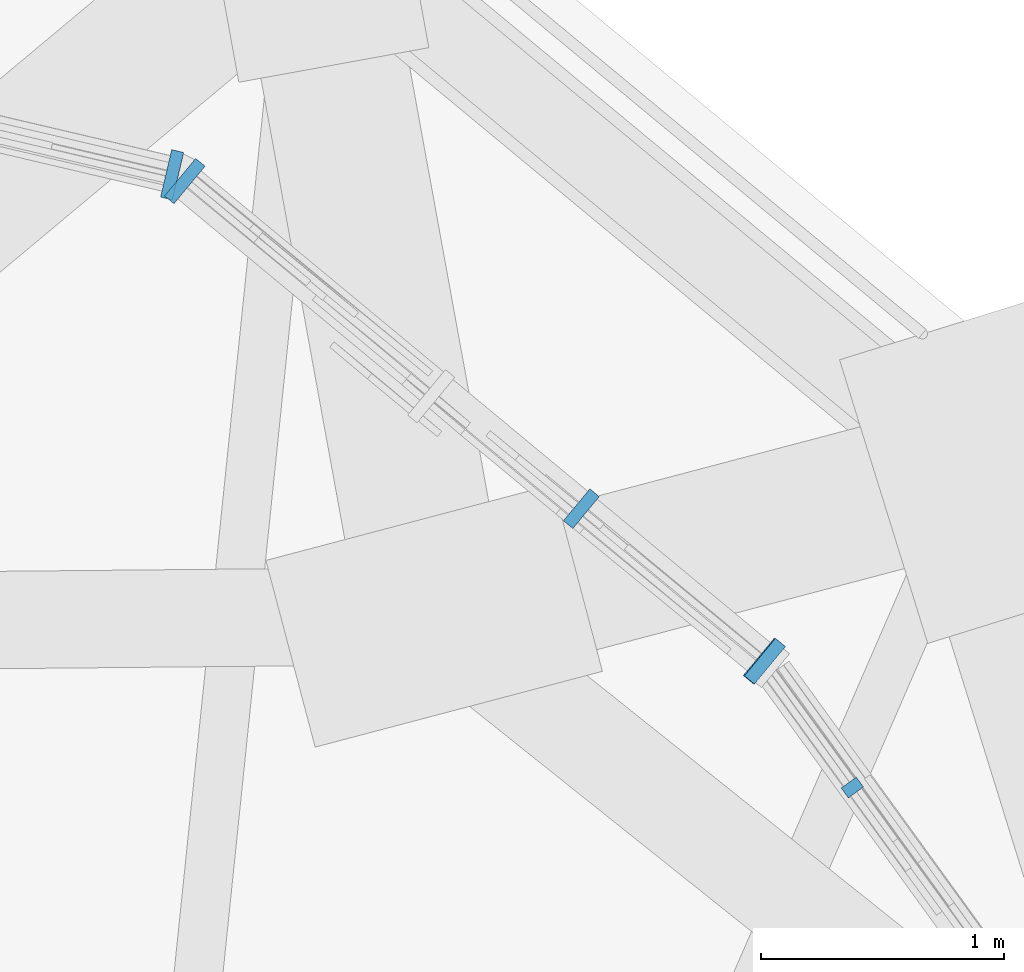
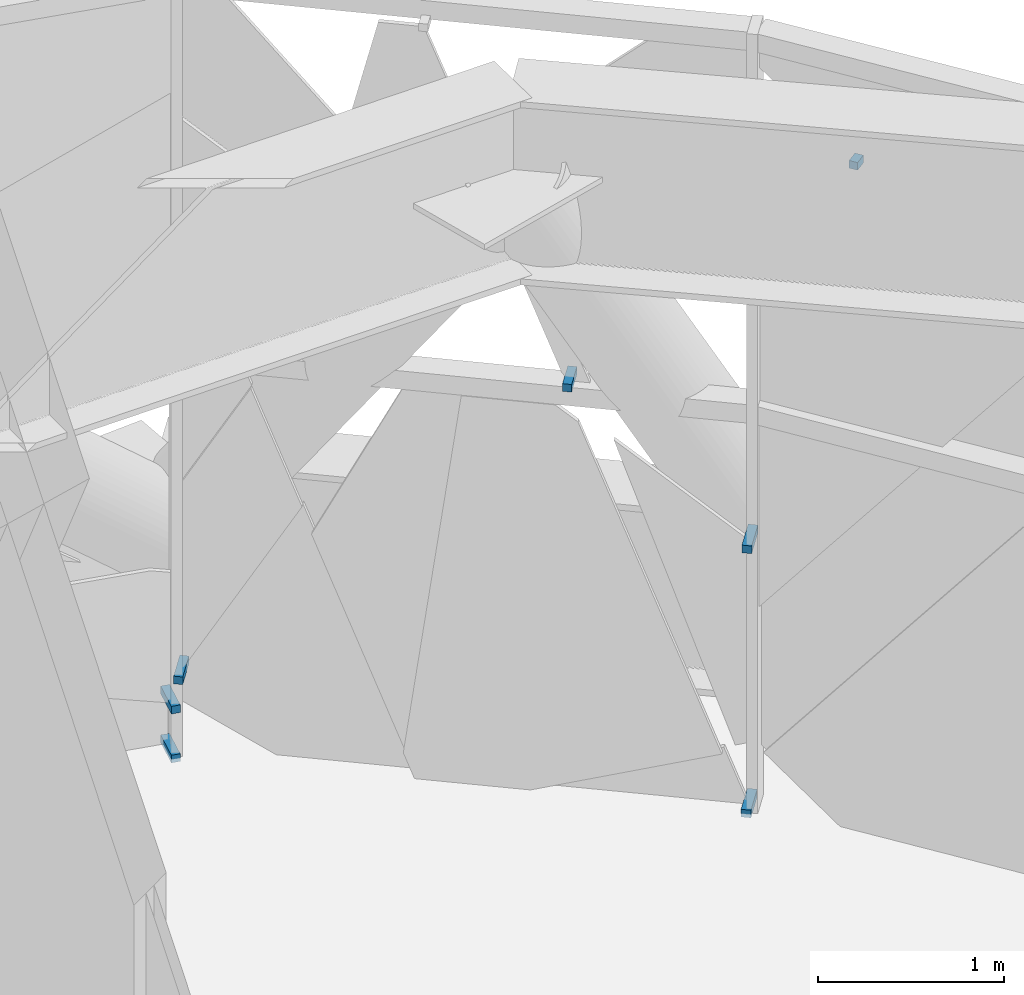
# One storey, part 29 of 33: 7 discrete accessories, 2 elements without a shape of their own.
"""IFC4 building model written with IfcOpenShell, lengths in metres."""

from ifc_helpers import new_model, si_unit, direction, frame, origin, origin_2d, place, context, subcontext, project, spatial, rectangle, extrude, material, layer, layer_set, type_object, element, aggregate, save


model = new_model("IFC4")

# Units and contexts
model_context = context("Model", 3, precision=1e-05, world=origin(), true_north=direction((0.0, 1.0)))
body_context = subcontext(model_context, "Body", "Model", "MODEL_VIEW")
ifc_project = project(units=[si_unit("LENGTHUNIT", "METRE"), si_unit("AREAUNIT", "SQUARE_METRE"), si_unit("VOLUMEUNIT", "CUBIC_METRE"), si_unit("PLANEANGLEUNIT", "RADIAN"), si_unit("MASSUNIT", "GRAM", prefix="KILO")], contexts=[model_context])

# Site, building, storey
site_placement = place(None, origin())
site = spatial("IfcSite", under=ifc_project, at=site_placement, CompositionType="ELEMENT")
building_placement = place(site_placement, origin())
building = spatial("IfcBuilding", under=site, at=building_placement, Name="Mestral Congress Tower", CompositionType="ELEMENT")
storey_placement = place(building_placement, frame((0.0, 0.0, 256.199951171875)))
storey = spatial("IfcBuildingStorey", under=building, at=storey_placement, Name="L60", CompositionType="ELEMENT", Elevation=256.199951171875)

# Curtain wall, discrete accessory
ifc_material_1 = material(Name="Clear low-emissivity double glazing", Category="glass")
curtain_wall_type = type_object("IfcCurtainWallType", Name="Facade refuge band screen", PredefinedType="USERDEFINED", material=ifc_material_1)
placement = place(storey_placement, origin())
curtain_wall_1 = element("IfcCurtainWall", 1, at=placement, inside=storey, type_object=curtain_wall_type, Name="Facade refuge band screen face 2", ObjectType="CURTAIN WALL", PredefinedType="USERDEFINED")
ifc_material_2 = material(Name="Steel S355", Category="steel")
ifc_layer = layer(ifc_material_2, 0.050048828125)
ifc_layer_set = layer_set([ifc_layer], Name="Steel S355")
discrete_accessory_type = type_object("IfcDiscreteAccessoryType", Name="Facade bracket", PredefinedType="BRACKET", material=ifc_layer_set)
discrete_accessory_1_placement = place(storey_placement, frame((5.711181640625, 24.4111328125, 4.36279296875), z_axis=(0.0, 0.0, 1.0), x_axis=(-0.587025336728, 0.809568560432, 0.0)))
discrete_accessory_1 = element("IfcDiscreteAccessory", 2, at=discrete_accessory_1_placement, type_object=discrete_accessory_type, Name="Facade bracket", PredefinedType="BRACKET", context=body_context, shape_type="SweptSolid", body=[
    extrude(rectangle(XDim=0.050048828125, YDim=0.076416015625, at=origin_2d()), origin(), (0.0, 0.0, 1.0), 0.050048828125),
])
aggregate(curtain_wall_1, [discrete_accessory_1])

# Curtain wall, discrete accessories
curtain_wall_2 = element("IfcCurtainWall", 3, at=placement, inside=storey, type_object=curtain_wall_type, Name="Facade refuge band screen corner 2", ObjectType="CURTAIN WALL", PredefinedType="USERDEFINED")
discrete_accessory_2_placement = place(storey_placement, frame((5.347900390625, 24.930908203125, -0.02490234375), z_axis=(0.0, 0.0, 1.0), x_axis=(-0.769970056175, 0.638080020526, 0.0)))
discrete_accessory_2 = element("IfcDiscreteAccessory", 4, at=discrete_accessory_2_placement, type_object=discrete_accessory_type, Name="Facade bracket", PredefinedType="BRACKET", context=body_context, shape_type="SweptSolid", body=[
    extrude(rectangle(XDim=0.05419921875, YDim=0.199951171875, at=origin_2d()), origin(), (0.0, 0.0, 1.0), 0.050048828125),
])
discrete_accessory_3_placement = place(storey_placement, frame((2.969482421875, 26.902099609375, 0.48486328125), z_axis=(0.0, 0.0, 1.0), x_axis=(-0.769967828851, 0.638082708225, 0.0)))
discrete_accessory_3 = element("IfcDiscreteAccessory", 5, at=discrete_accessory_3_placement, type_object=discrete_accessory_type, Name="Facade bracket", PredefinedType="BRACKET", context=body_context, shape_type="SweptSolid", body=[
    extrude(rectangle(XDim=0.050048828125, YDim=0.199951171875, at=origin_2d()), origin(), (0.0, 0.0, 1.0), 0.050048828125),
])
discrete_accessory_4_placement = place(storey_placement, frame((5.352294921875, 24.929931640625, 1.7041015625), z_axis=(0.0, 0.0, 1.0), x_axis=(-0.769863134034, 0.63820902129, 0.0)))
discrete_accessory_4 = element("IfcDiscreteAccessory", 6, at=discrete_accessory_4_placement, type_object=discrete_accessory_type, Name="Facade bracket", PredefinedType="BRACKET", context=body_context, shape_type="SweptSolid", body=[
    extrude(rectangle(XDim=0.0537109375, YDim=0.199951171875, at=origin_2d()), origin(), (0.0, 0.0, 1.0), 0.050048828125),
])
discrete_accessory_5_placement = place(storey_placement, frame((4.59814453125, 25.556396484375, 2.63525390625), z_axis=(0.0, 0.0, 1.0), x_axis=(-0.769815234816, 0.638266797072, 0.0)))
discrete_accessory_5 = element("IfcDiscreteAccessory", 7, at=discrete_accessory_5_placement, type_object=discrete_accessory_type, Name="Facade bracket", PredefinedType="BRACKET", context=body_context, shape_type="SweptSolid", body=[
    extrude(rectangle(XDim=0.050048828125, YDim=0.170166015625, at=origin_2d()), origin(), (0.0, 0.0, 1.0), 0.050048828125),
])
discrete_accessory_6_placement = place(storey_placement, frame((2.91748046875, 26.927978515625, 0.294921875), z_axis=(0.0, 0.0, 1.0), x_axis=(-0.97350871259, 0.228649921302, 0.0)))
discrete_accessory_6 = element("IfcDiscreteAccessory", 8, at=discrete_accessory_6_placement, type_object=discrete_accessory_type, Name="Facade bracket", PredefinedType="BRACKET", context=body_context, shape_type="SweptSolid", body=[
    extrude(rectangle(XDim=0.05078125, YDim=0.199951171875, at=origin_2d()), origin(), (0.0, 0.0, 1.0), 0.050048828125),
])
discrete_accessory_7_placement = place(storey_placement, frame((2.917236328125, 26.927978515625, -0.02490234375), z_axis=(0.0, 0.0, 1.0), x_axis=(-0.973511106953, 0.228639726731, 0.0)))
discrete_accessory_7 = element("IfcDiscreteAccessory", 9, at=discrete_accessory_7_placement, type_object=discrete_accessory_type, Name="Facade bracket", PredefinedType="BRACKET", context=body_context, shape_type="SweptSolid", body=[
    extrude(rectangle(XDim=0.05029296875, YDim=0.199951171875, at=origin_2d()), origin(), (0.0, 0.0, 1.0), 0.050048828125),
])
aggregate(curtain_wall_2, [discrete_accessory_2, discrete_accessory_3, discrete_accessory_4, discrete_accessory_5, discrete_accessory_6, discrete_accessory_7])

save(model, "model.ifc")
